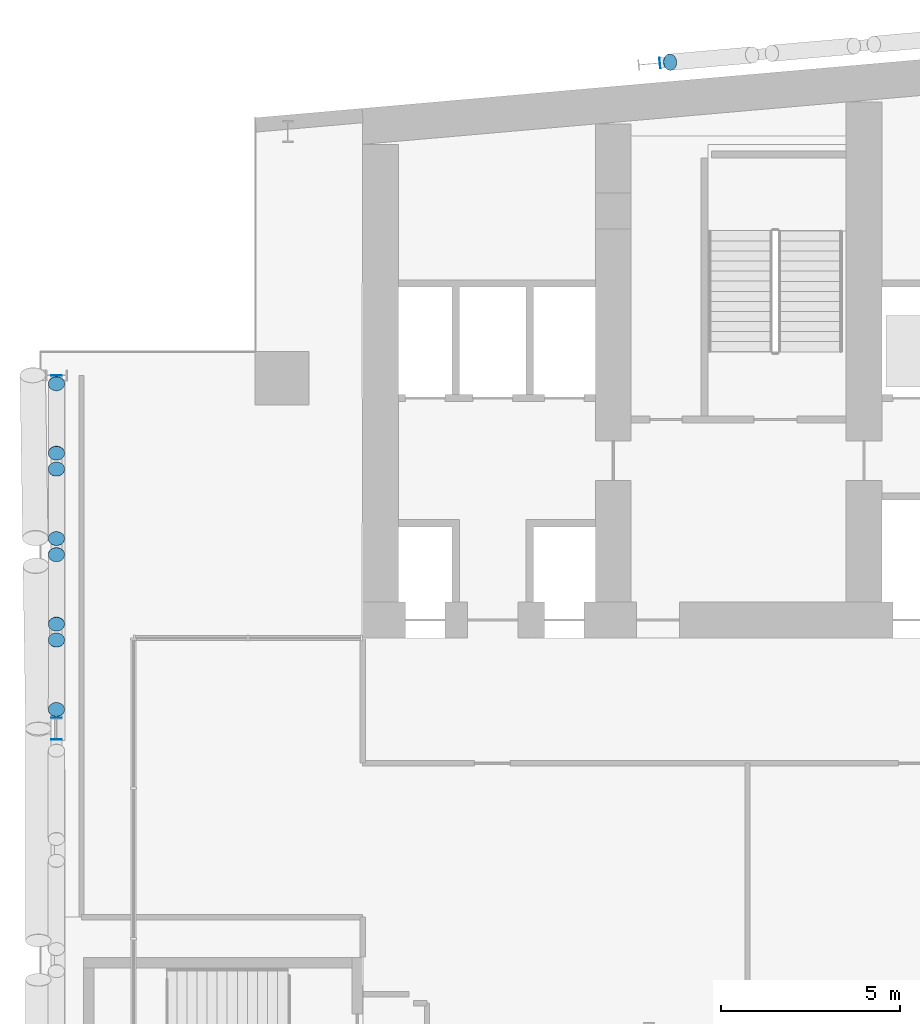
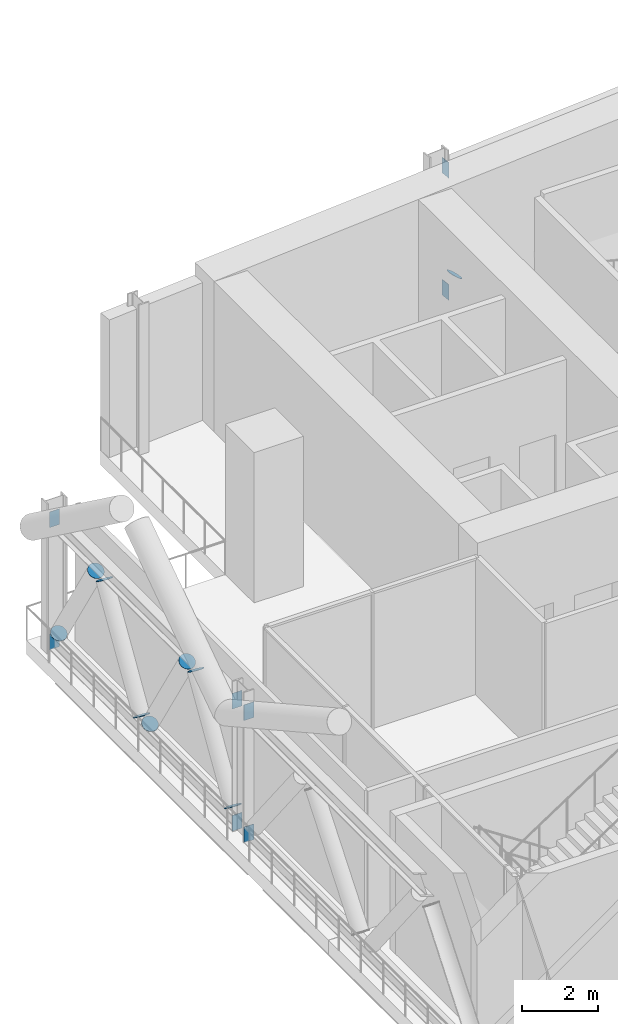
# One storey, part 31 of 42: 17 discrete accessories.
"""IFC4 building model written with IfcOpenShell, lengths in metres."""

from ifc_helpers import new_model, si_unit, direction, frame, origin, origin_2d, place, context, subcontext, project, spatial, rectangle, circle, extrude, material, material_profile, profile_set, type_object, element, save


model = new_model("IFC4")

# Units and contexts
model_context = context("Model", 3, precision=1e-05, world=origin(), true_north=direction((0.0, 1.0)))
body_context = subcontext(model_context, "Body", "Model", "MODEL_VIEW")
ifc_project = project(units=[si_unit("LENGTHUNIT", "METRE"), si_unit("AREAUNIT", "SQUARE_METRE"), si_unit("VOLUMEUNIT", "CUBIC_METRE"), si_unit("PLANEANGLEUNIT", "RADIAN"), si_unit("MASSUNIT", "GRAM", prefix="KILO")], contexts=[model_context])

# Site, building, storey
site_placement = place(None, origin())
site = spatial("IfcSite", under=ifc_project, at=site_placement, CompositionType="ELEMENT")
building_placement = place(site_placement, origin())
building = spatial("IfcBuilding", under=site, at=building_placement, Name="Wharfspan Tower", CompositionType="ELEMENT")
storey_placement = place(building_placement, frame((0.0, 0.0, 147.100098)))
storey = spatial("IfcBuildingStorey", under=building, at=storey_placement, Name="L35", CompositionType="ELEMENT", Elevation=147.100098)

# Discrete accessories
ifc_material_1 = material(Name="Steel S460NH", Category="steel")
ifc_material_profile_1 = material_profile(ifc_material_1, circle(Radius=0.228516, at=origin_2d()))
ifc_profile_set_1 = profile_set([ifc_material_profile_1], Name="Steel S460NH")
discrete_accessory_type_1 = type_object("IfcDiscreteAccessoryType", Name="End plate CHS 457x16", PredefinedType="BRACKET", material=ifc_profile_set_1)
for number, where, z_axis, x_axis, name in (
    (1, (24.589844, 50.078857, 0.63501), (-0.603154, -0.048252, -0.796164), (0.079745, -0.996819, 0.0), "End plate CHS 457x16"),
    (2, (7.450439, 41.101807, 0.610596), (0.0, -0.514496, 0.857493), (1.0, 0.0, 0.0), "End plate CHS 457x16"),
    (3, (7.450439, 39.162109, 3.780518), (0.0, -0.532172, 0.846637), (1.0, 0.0, 0.0), "End plate CHS 457x16"),
    (4, (7.450439, 38.715332, 3.789062), (0.0, -0.514496, -0.857493), (1.0, 0.0, 0.0), "End plate CHS 457x16"),
    (5, (7.450195, 36.775635, 0.619141), (0.0, -0.532172, -0.846637), (1.0, 0.0, 0.0), "End plate CHS 457x16"),
    (6, (7.450195, 36.328857, 0.610596), (0.0, -0.514496, 0.857493), (1.0, 0.0, 0.0), "End plate CHS 457x16"),
    (7, (7.450195, 34.38916, 3.780518), (0.0, -0.532172, 0.846637), (1.0, 0.0, 0.0), "End plate CHS 457x16"),
    (8, (7.450195, 33.942383, 3.789062), (0.0, -0.514496, -0.857493), (1.0, 0.0, 0.0), "End plate CHS 457x16"),
    (9, (7.449951, 32.002686, 0.619141), (0.0, -0.532172, -0.846637), (1.0, 0.0, 0.0), "End plate CHS 457x16"),
):
    element("IfcDiscreteAccessory", number, at=place(storey_placement, frame(where, z_axis=z_axis, x_axis=x_axis)), inside=storey, type_object=discrete_accessory_type_1, Name=name, PredefinedType="BRACKET", context=body_context, shape_type="SweptSolid", body=[
        extrude(circle(Radius=0.228516, at=origin_2d()), origin(), (0.0, 0.0, 1.0), 0.01001),
    ])
ifc_material_2 = material(Name="Steel S355J2", Category="steel")
ifc_material_profile_2 = material_profile(ifc_material_2, rectangle(XDim=0.300049, YDim=0.5, at=origin_2d()))
ifc_profile_set_2 = profile_set([ifc_material_profile_2], Name="Steel S355J2")
discrete_accessory_type_2 = type_object("IfcDiscreteAccessoryType", Name="End plate HEB 500", PredefinedType="BRACKET", material=ifc_profile_set_2)
for number, where, z_axis, x_axis, name in (
    (10, (24.308838, 50.054443, 4.149902), (-0.995275, -0.0971, 0.0), (0.0971, -0.995275, 0.0), "End plate HEB 500"),
    (11, (24.308838, 50.054443, 0.25), (-0.995275, -0.0971, 0.0), (0.0971, -0.995275, 0.0), "End plate HEB 500"),
    (12, (7.450439, 41.33252, 4.149902), (0.0, -1.0, 0.0), (1.0, 0.0, 0.0), "End plate HEB 500"),
    (13, (7.449951, 31.776611, 4.149902), (0.0, -1.0, 0.0), (1.0, 0.0, 0.0), "End plate HEB 500"),
    (14, (7.450439, 41.33252, 0.25), (0.0, -1.0, 0.0), (1.0, 0.0, 0.0), "End plate HEB 500"),
    (15, (7.449951, 31.776611, 0.25), (0.0, -1.0, 0.0), (1.0, 0.0, 0.0), "End plate HEB 500"),
    (16, (7.449951, 31.166748, 4.149902), (0.0, -1.0, 0.0), (1.0, 0.0, 0.0), "End plate HEB 500"),
    (17, (7.449951, 31.166748, 0.25), (0.0, -1.0, 0.0), (1.0, 0.0, 0.0), "End plate HEB 500"),
):
    element("IfcDiscreteAccessory", number, at=place(storey_placement, frame(where, z_axis=z_axis, x_axis=x_axis)), inside=storey, type_object=discrete_accessory_type_2, Name=name, PredefinedType="BRACKET", context=body_context, shape_type="SweptSolid", body=[
        extrude(rectangle(XDim=0.300049, YDim=0.5, at=origin_2d()), origin(), (0.0, 0.0, 1.0), 0.01001),
    ])

save(model, "model.ifc")
